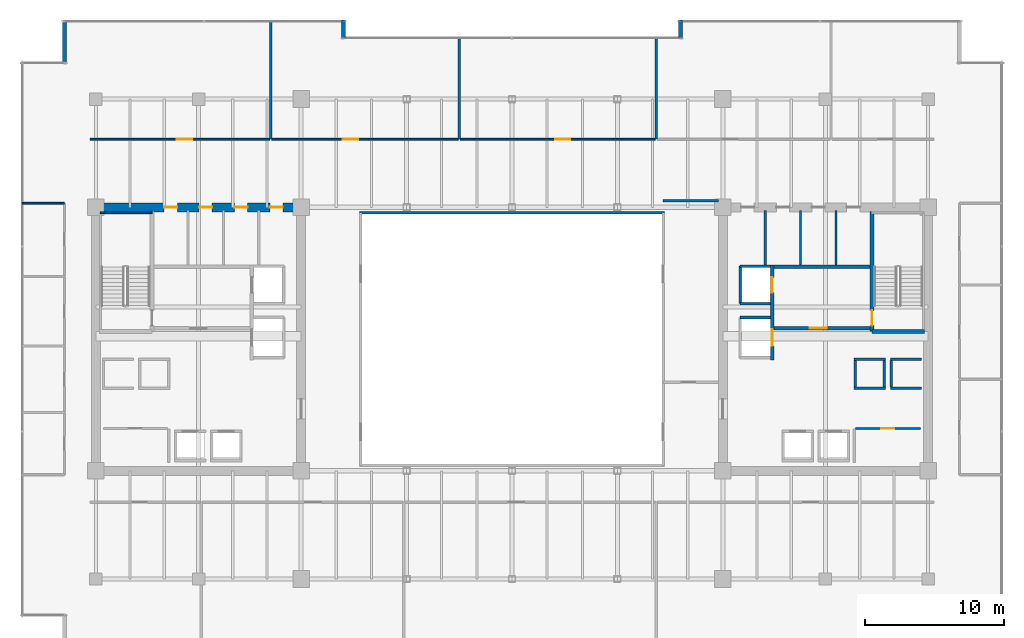
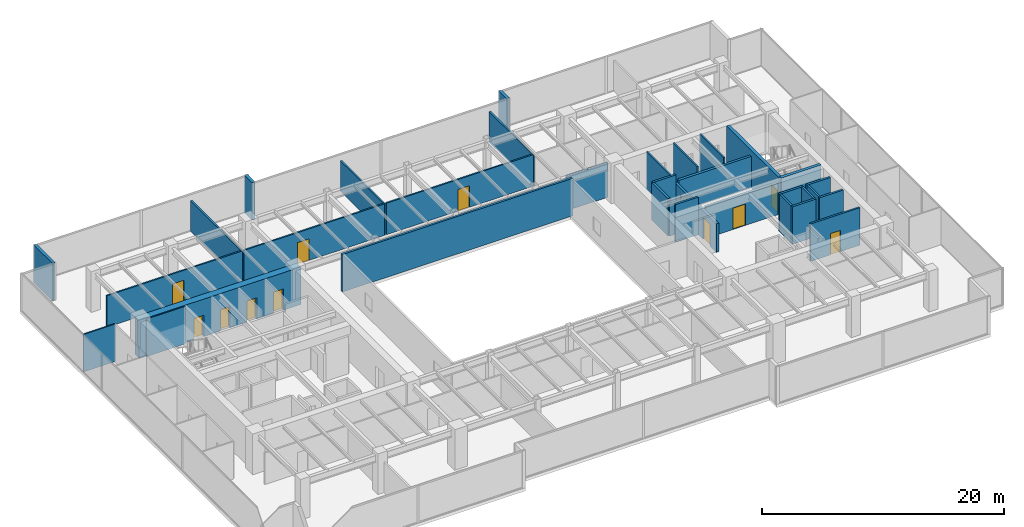
# One storey, part 27 of 31: 34 walls, 12 doors, 12 openings.
"""IFC4 building model written with IfcOpenShell, lengths in metres."""

from ifc_helpers import new_model, si_unit, direction, frame, frame_2d, origin, place, context, subcontext, project, spatial, rectangle, extrude, source, transform, mapped, material, layer, layer_set, type_object, type_shapes, element, fill, save


model = new_model("IFC4")

# Units and contexts
model_context = context("Model", 3, precision=1e-05, world=origin(), true_north=direction((0.0, 1.0)))
body_context = subcontext(model_context, "Body", "Model", "MODEL_VIEW")
ifc_project = project(units=[si_unit("LENGTHUNIT", "METRE"), si_unit("AREAUNIT", "SQUARE_METRE"), si_unit("VOLUMEUNIT", "CUBIC_METRE"), si_unit("PLANEANGLEUNIT", "RADIAN"), si_unit("MASSUNIT", "GRAM", prefix="KILO")], contexts=[model_context])

# Site, building, storey
site_placement = place(None, origin())
site = spatial("IfcSite", under=ifc_project, at=site_placement, CompositionType="ELEMENT")
building_placement = place(site_placement, origin())
building = spatial("IfcBuilding", under=site, at=building_placement, Name="Haelvirn Gate Laboratories", CompositionType="ELEMENT")
storey_placement = place(building_placement, frame((0.0, 0.0, 154.300048828125)))
storey = spatial("IfcBuildingStorey", under=building, at=storey_placement, Name="L37", CompositionType="ELEMENT", Elevation=154.300048828125)

# Walls
ifc_material_1 = material(Name="Thermally-broken bronze aluminium rainscreen & mineral wool", Category="aluminium")
ifc_layer_1 = layer(ifc_material_1, 0.280029296875, Name="EW-TERR-280")
ifc_layer_set_1 = layer_set([ifc_layer_1], Name="Thermally-broken bronze aluminium rainscreen & mineral wool")
wall_type_1 = type_object("IfcWallType", Name="EW-TERR-280", PredefinedType="STANDARD", material=ifc_layer_set_1)
for number, where, z_axis, x_axis, name in (
    (1, (49.5400390625, 47.300048828125, 0.0), (0.0, 0.0, 1.0), (0.0, -1.0, 0.0), "L37 Atrium Recess Bronze Return Wall 11"),
    (2, (25.260009765625, 46.011962890625, 0.0), (0.0, 0.0, 1.0), (0.0, 1.0, 0.0), "L37 Atrium Recess Bronze Return Wall 13"),
):
    element("IfcWall", number, at=place(storey_placement, frame(where, z_axis=z_axis, x_axis=x_axis)), inside=storey, type_object=wall_type_1, Name=name, PredefinedType="STANDARD", context=body_context, shape_type="SweptSolid", body=[
        extrude(rectangle(XDim=1.2880859375, YDim=0.280029296875, at=frame_2d((0.64404296875, 0.0))), origin(), (0.0, 0.0, 1.0), 3.7900390625),
    ])
wall_1_placement = place(storey_placement, frame((5.139892578125, 47.300048828125, 0.0), z_axis=(0.0, 0.0, 1.0), x_axis=(0.0, -1.0, 0.0)))
element("IfcWall", 3, at=wall_1_placement, inside=storey, type_object=wall_type_1, Name="L37 Atrium Recess Bronze Return Wall 15", PredefinedType="STANDARD", context=body_context, shape_type="SweptSolid", body=[
    extrude(rectangle(XDim=3.088134765625, YDim=0.280029296875, at=frame_2d((1.5439453125, 0.0))), origin(), (0.0, 0.0, 1.0), 3.7900390625),
])
ifc_material_2 = material(Name="Double-layer acoustic gypsum laboratory partition", Category="gypsum")
ifc_layer_2 = layer(ifc_material_2, 0.159912109375, Name="IW-ACOUST-160")
ifc_layer_set_2 = layer_set([ifc_layer_2], Name="Double-layer acoustic gypsum laboratory partition")
wall_type_2 = type_object("IfcWallType", Name="IW-ACOUST-160", PredefinedType="PARTITIONING", material=ifc_layer_set_2)
wall_2_placement = place(storey_placement, frame((20.0, 38.705078125, 0.0), z_axis=(0.0, 0.0, 1.0), x_axis=(0.0, 1.0, 0.0)))
element("IfcWall", 4, at=wall_2_placement, inside=storey, type_object=wall_type_2, Name="L37 Interior Wall IW-L37-NDIV-01", PredefinedType="PARTITIONING", context=body_context, shape_type="SweptSolid", body=[
    extrude(rectangle(XDim=8.48486328125, YDim=0.159912109375, at=frame_2d((4.242431640625, 0.0))), origin(), (0.0, 0.0, 1.0), 3.074951171875),
])
for number, where, z_axis, x_axis, name in (
    (5, (33.60009765625, 38.705078125, 0.0), (0.0, 0.0, 1.0), (0.0, 1.0, 0.0), "L37 Interior Wall IW-L37-NDIV-02"),
    (6, (47.800048828125, 38.705078125, 0.0), (0.0, 0.0, 1.0), (0.0, 1.0, 0.0), "L37 Interior Wall IW-L37-NDIV-03"),
):
    element("IfcWall", number, at=place(storey_placement, frame(where, z_axis=z_axis, x_axis=x_axis)), inside=storey, type_object=wall_type_2, Name=name, PredefinedType="PARTITIONING", context=body_context, shape_type="SweptSolid", body=[
        extrude(rectangle(XDim=7.284912109375, YDim=0.159912109375, at=frame_2d((3.642578125, 0.0))), origin(), (0.0, 0.0, 1.0), 3.074951171875),
    ])
ifc_material_3 = material(Name="Fire-rated acoustic gypsum board partition", Category="gypsum")
ifc_layer_3 = layer(ifc_material_3, 0.175048828125, Name="IW-ACOUST-180")
ifc_layer_set_3 = layer_set([ifc_layer_3], Name="Fire-rated acoustic gypsum board partition")
wall_type_3 = type_object("IfcWallType", Name="IW-ACOUST-180", PredefinedType="PARTITIONING", material=ifc_layer_set_3)
wall_3_placement = place(storey_placement, frame((48.300048828125, 34.260009765625, 0.0), z_axis=(0.0, 0.0, 1.0), x_axis=(1.0, 0.0, 0.0)))
element("IfcWall", 7, at=wall_3_placement, inside=storey, type_object=wall_type_3, Name="L37 Interior Wall IW-L37-ASEM-N", PredefinedType="PARTITIONING", context=body_context, shape_type="SweptSolid", body=[
    extrude(rectangle(XDim=3.974853515625, YDim=0.175048828125, at=frame_2d((1.9873046875, 0.0))), origin(), (0.0, 0.0, 1.0), 3.474853515625),
])
ifc_material_4 = material(Name="Tempered fire-rated borosilicate glass & anodised aluminium", Category="aluminium")
ifc_layer_4 = layer(ifc_material_4, 0.195068359375, Name="IW-GLAZ-200")
ifc_layer_set_4 = layer_set([ifc_layer_4], Name="Tempered fire-rated borosilicate glass & anodised aluminium")
wall_type_4 = type_object("IfcWallType", Name="IW-GLAZ-200", PredefinedType="SOLIDWALL", material=ifc_layer_set_4)
wall_4_placement = place(storey_placement, frame((26.39990234375, 33.39990234375, 0.0), z_axis=(0.0, 0.0, 1.0), x_axis=(1.0, 0.0, 0.0)))
element("IfcWall", 8, at=wall_4_placement, inside=storey, type_object=wall_type_4, Name="L37 Interior Wall IW-L37-ATRIUM-N", PredefinedType="SOLIDWALL", context=body_context, shape_type="SweptSolid", body=[
    extrude(rectangle(XDim=22.0, YDim=0.195068359375, at=frame_2d((11.0, 0.0))), origin(), (0.0, 0.0, 1.0), 3.7900390625),
])
ifc_material_5 = material(Name="Lightweight acoustic gypsum board partition", Category="gypsum")
ifc_layer_5 = layer(ifc_material_5, 0.1201171875, Name="IW-PART-120")
ifc_layer_set_5 = layer_set([ifc_layer_5], Name="Lightweight acoustic gypsum board partition")
wall_type_5 = type_object("IfcWallType", Name="IW-PART-120", PredefinedType="PARTITIONING", material=ifc_layer_set_5)
wall_5_placement = place(storey_placement, frame((2.110107421875, 34.0849609375, 0.0), z_axis=(0.0, 0.0, 1.0), x_axis=(1.0, 0.0, 0.0)))
element("IfcWall", 9, at=wall_5_placement, inside=storey, type_object=wall_type_5, Name="L37 Interior Wall IW-L37-WCAP-N", PredefinedType="PARTITIONING", context=body_context, shape_type="SweptSolid", body=[
    extrude(rectangle(XDim=3.019775390625, YDim=0.1201171875, at=frame_2d((1.509765625, 0.0))), origin(), (0.0, 0.0, 1.0), 3.7900390625),
])

# Wall, opening, door
ifc_material_6 = material(Name="Acoustic mineral-wool gypsum board partition", Category="gypsum")
ifc_layer_6 = layer(ifc_material_6, 0.139892578125, Name="IW-PART-140")
ifc_layer_set_6 = layer_set([ifc_layer_6], Name="Acoustic mineral-wool gypsum board partition")
wall_type_6 = type_object("IfcWallType", Name="IW-PART-140", PredefinedType="PARTITIONING", material=ifc_layer_set_6)
wall_6_placement = place(storey_placement, frame((6.97998046875, 38.705078125, 0.0), z_axis=(0.0, 0.0, 1.0), x_axis=(1.0, 0.0, 0.0)))
wall_6 = element("IfcWall", 10, at=wall_6_placement, inside=storey, type_object=wall_type_6, Name="L37 Interior Wall IW-L37-NCORR-01", PredefinedType="PARTITIONING", context=body_context, shape_type="SweptSolid", body=[
    extrude(rectangle(XDim=12.93994140625, YDim=0.139892578125, at=frame_2d((6.469970703125, 0.0))), origin(), (0.0, 0.0, 1.0), 3.18701171875),
])
opening_1_placement = place(wall_6_placement, frame((6.254150390625, 0.0, 0.0)))
opening_1 = element("IfcOpeningElement", 11, at=opening_1_placement, cuts=wall_6, Name="Opening D1", PredefinedType="OPENING", context=body_context, shape_type="SweptSolid", body=[
    extrude(rectangle(XDim=1.10009765625, YDim=2.179931640625, at=frame_2d((0.550048828125, 1.08984375))), frame((0.0, 0.080078125, 0.0), z_axis=(0.0, -1.0, 0.0), x_axis=(1.0, 0.0, 0.0)), (0.0, 0.0, 1.0), 0.159912109375),
])
ifc_material_7 = material(Name="Vision-panel acoustic solid-core timber lab door", Category="wood")
door_type_1 = type_object("IfcDoorType", Name="DR-LAB-1100", OperationType="NOTDEFINED", PredefinedType="DOOR", material=ifc_material_7)
shared_shape_1 = source(origin(), body_context, "Body", "SweptSolid", [
    extrude(rectangle(XDim=1.10009765625, YDim=2.179931640625, at=frame_2d((0.550048828125, 1.08984375))), frame((0.0, 0.02490234375, 0.0), z_axis=(0.0, -1.0, 0.0), x_axis=(1.0, 0.0, 0.0)), (0.0, 0.0, 1.0), 0.050048828125),
])
type_shapes(door_type_1, [shared_shape_1])
door_1_placement = place(opening_1_placement, origin())
door_1 = element("IfcDoor", 12, at=door_1_placement, inside=storey, type_object=door_type_1, Name="L37 Cryo-EM Imaging Suite Door N1", OperationType="SINGLE_SWING_LEFT", OverallHeight=2.179931640625, OverallWidth=1.10009765625, PredefinedType="DOOR", context=body_context, shape_type="MappedRepresentation", body=[
    mapped(shared_shape_1, transform((0.0, 0.0, 0.0), scale=1.0)),
])
fill(opening_1, door_1)

wall_7_placement = place(storey_placement, frame((20.080078125, 38.705078125, 0.0), z_axis=(0.0, 0.0, 1.0), x_axis=(1.0, 0.0, 0.0)))
wall_7 = element("IfcWall", 13, at=wall_7_placement, inside=storey, type_object=wall_type_6, Name="L37 Interior Wall IW-L37-NCORR-02", PredefinedType="PARTITIONING", context=body_context, shape_type="SweptSolid", body=[
    extrude(rectangle(XDim=13.43994140625, YDim=0.139892578125, at=frame_2d((6.719970703125, 0.0))), origin(), (0.0, 0.0, 1.0), 3.18701171875),
])
opening_2_placement = place(wall_7_placement, frame((5.122314453125, 0.0, 0.0)))
opening_2 = element("IfcOpeningElement", 14, at=opening_2_placement, cuts=wall_7, Name="Opening D1", PredefinedType="OPENING", context=body_context, shape_type="SweptSolid", body=[
    extrude(rectangle(XDim=1.10009765625, YDim=2.179931640625, at=frame_2d((0.550048828125, 1.08984375))), frame((0.0, 0.080078125, 0.0), z_axis=(0.0, -1.0, 0.0), x_axis=(1.0, 0.0, 0.0)), (0.0, 0.0, 1.0), 0.159912109375),
])
door_2_placement = place(opening_2_placement, origin())
door_2 = element("IfcDoor", 15, at=door_2_placement, inside=storey, type_object=door_type_1, Name="L37 Analytical Instrument Suite Door N2", OperationType="SINGLE_SWING_RIGHT", OverallHeight=2.179931640625, OverallWidth=1.10009765625, PredefinedType="DOOR", context=body_context, shape_type="MappedRepresentation", body=[
    mapped(shared_shape_1, transform((0.0, 0.0, 0.0), scale=1.0)),
])
fill(opening_2, door_2)

wall_8_placement = place(storey_placement, frame((33.679931640625, 38.705078125, 0.0), z_axis=(0.0, 0.0, 1.0), x_axis=(1.0, 0.0, 0.0)))
wall_8 = element("IfcWall", 16, at=wall_8_placement, inside=storey, type_object=wall_type_6, Name="L37 Interior Wall IW-L37-NCORR-03", PredefinedType="PARTITIONING", context=body_context, shape_type="SweptSolid", body=[
    extrude(rectangle(XDim=14.0400390625, YDim=0.139892578125, at=frame_2d((7.02001953125, 0.0))), origin(), (0.0, 0.0, 1.0), 3.18701171875),
])
opening_3_placement = place(wall_8_placement, frame((6.837158203125, 0.0, 0.0)))
opening_3 = element("IfcOpeningElement", 17, at=opening_3_placement, cuts=wall_8, Name="Opening D1", PredefinedType="OPENING", context=body_context, shape_type="SweptSolid", body=[
    extrude(rectangle(XDim=1.10009765625, YDim=2.179931640625, at=frame_2d((0.550048828125, 1.08984375))), frame((0.0, 0.080078125, 0.0), z_axis=(0.0, -1.0, 0.0), x_axis=(1.0, 0.0, 0.0)), (0.0, 0.0, 1.0), 0.159912109375),
])
door_3_placement = place(opening_3_placement, origin())
door_3 = element("IfcDoor", 18, at=door_3_placement, inside=storey, type_object=door_type_1, Name="L37 Laser-Safety Consult Room Door N3", OperationType="SINGLE_SWING_LEFT", OverallHeight=2.179931640625, OverallWidth=1.10009765625, PredefinedType="DOOR", context=body_context, shape_type="MappedRepresentation", body=[
    mapped(shared_shape_1, transform((0.0, 0.0, 0.0), scale=1.0)),
])
fill(opening_3, door_3)

# Walls
ifc_material_8 = material(Name="Cement-board restroom plumbing chase wall", Category="gypsum")
ifc_layer_7 = layer(ifc_material_8, 0.155029296875, Name="IW-PLUMB-160")
ifc_layer_set_7 = layer_set([ifc_layer_7], Name="Cement-board restroom plumbing chase wall")
wall_type_7 = type_object("IfcWallType", Name="IW-PLUMB-160", PredefinedType="PLUMBINGWALL", material=ifc_layer_set_7)
for number, where, z_axis, x_axis, name in (
    (19, (60.760009765625, 29.64990234375, 0.0), (0.0, 0.0, 1.0), (0.0, 1.0, 0.0), "L37 Interior Wall IW-L37-E-CDIV-1"),
    (20, (58.2099609375, 29.64990234375, 0.0), (0.0, 0.0, 1.0), (0.0, 1.0, 0.0), "L37 Interior Wall IW-L37-E-CDIV-2"),
    (21, (55.659912109375, 29.64990234375, 0.0), (0.0, 0.0, 1.0), (0.0, 1.0, 0.0), "L37 Interior Wall IW-L37-E-CDIV-3"),
):
    element("IfcWall", number, at=place(storey_placement, frame(where, z_axis=z_axis, x_axis=x_axis)), inside=storey, type_object=wall_type_7, Name=name, PredefinedType="PLUMBINGWALL", context=body_context, shape_type="SweptSolid", body=[
        extrude(rectangle(XDim=3.93017578125, YDim=0.155029296875, at=frame_2d((1.965087890625, 0.0))), origin(), (0.0, 0.0, 1.0), 3.7900390625),
    ])
ifc_material_9 = material(Name="Concrete C40/50", Category="concrete")
ifc_layer_8 = layer(ifc_material_9, 0.179931640625, Name="IW-SHAFT-180")
ifc_layer_set_8 = layer_set([ifc_layer_8], Name="Concrete C40/50")
wall_type_8 = type_object("IfcWallType", Name="IW-SHAFT-180", PredefinedType="SOLIDWALL", material=ifc_layer_set_8)
for number, where, z_axis, x_axis, name in (
    (22, (64.75, 20.85009765625, 0.0), (0.0, 0.0, 1.0), (0.0, 1.0, 0.0), "L37 Interior Wall IW-L37-PL11-SD"),
    (23, (62.14990234375, 20.85009765625, 0.0), (0.0, 0.0, 1.0), (0.0, 1.0, 0.0), "L37 Interior Wall IW-L37-PL12-SD"),
    (24, (64.25, 20.85009765625, 0.0), (0.0, 0.0, 1.0), (0.0, 1.0, 0.0), "L37 Interior Wall IW-L37-PL12-SDE"),
):
    element("IfcWall", number, at=place(storey_placement, frame(where, z_axis=z_axis, x_axis=x_axis)), inside=storey, type_object=wall_type_8, Name=name, PredefinedType="SOLIDWALL", context=body_context, shape_type="SweptSolid", body=[
        extrude(rectangle(XDim=1.89990234375, YDim=0.179931640625, at=frame_2d((0.949951171875, 0.0))), origin(), (0.0, 0.0, 1.0), 3.7900390625),
    ])

# Wall, opening, door
wall_9_placement = place(storey_placement, frame((62.14990234375, 17.85009765625, 0.0), z_axis=(0.0, 0.0, 1.0), x_axis=(1.0, 0.0, 0.0)))
wall_9 = element("IfcWall", 25, at=wall_9_placement, inside=storey, type_object=wall_type_8, Name="L37 Interior Wall IW-L37-E-FREED-LN-1", PredefinedType="SOLIDWALL", context=body_context, shape_type="SweptSolid", body=[
    extrude(rectangle(XDim=4.7001953125, YDim=0.179931640625, at=frame_2d((2.35009765625, 0.0))), origin(), (0.0, 0.0, 1.0), 3.7900390625),
])
opening_4_placement = place(wall_9_placement, frame((1.875, 0.0, 0.0)))
opening_4 = element("IfcOpeningElement", 26, at=opening_4_placement, cuts=wall_9, Name="Opening FD4", PredefinedType="OPENING", context=body_context, shape_type="SweptSolid", body=[
    extrude(rectangle(XDim=0.949951171875, YDim=2.14990234375, at=frame_2d((0.47509765625, 1.074951171875))), frame((0.0, 0.10009765625, 0.0), z_axis=(0.0, -1.0, 0.0), x_axis=(1.0, 0.0, 0.0)), (0.0, 0.0, 1.0), 0.199951171875),
])
ifc_material_10 = material(Name="Fire-rated steel SM355 core service door", Category="steel")
door_type_2 = type_object("IfcDoorType", Name="DR-FD-950", OperationType="NOTDEFINED", PredefinedType="DOOR", material=ifc_material_10)
shared_shape_2 = source(origin(), body_context, "Body", "SweptSolid", [
    extrude(rectangle(XDim=0.949951171875, YDim=2.14990234375, at=frame_2d((0.47509765625, 1.074951171875))), frame((0.0, 0.02490234375, 0.0), z_axis=(0.0, -1.0, 0.0), x_axis=(1.0, 0.0, 0.0)), (0.0, 0.0, 1.0), 0.050048828125),
])
type_shapes(door_type_2, [shared_shape_2])
door_4_placement = place(opening_4_placement, origin())
door_4 = element("IfcDoor", 27, at=door_4_placement, inside=storey, type_object=door_type_2, Name="L37 Autoclave & Glasswash Room Door", OperationType="SINGLE_SWING_LEFT", OverallHeight=2.14990234375, OverallWidth=0.949951171875, PredefinedType="DOOR", context=body_context, shape_type="MappedRepresentation", body=[
    mapped(shared_shape_2, transform((0.0, 0.0, 0.0), scale=1.0)),
])
fill(opening_4, door_4)

# Walls
ifc_layer_9 = layer(ifc_material_9, 0.199951171875, Name="IW-SHAFT-200")
ifc_layer_set_9 = layer_set([ifc_layer_9], Name="Concrete C40/50")
wall_type_9 = type_object("IfcWallType", Name="IW-SHAFT-200", PredefinedType="SOLIDWALL", material=ifc_layer_set_9)
for number, where, z_axis, x_axis, name in (
    (28, (64.669921875, 20.75, 0.0), (0.0, 0.0, 1.0), (1.0, 0.0, 0.0), "L37 Interior Wall IW-L37-PL11-FR"),
    (29, (64.669921875, 22.85009765625, 0.0), (0.0, 0.0, 1.0), (1.0, 0.0, 0.0), "L37 Interior Wall IW-L37-PL11-BK"),
    (30, (62.070068359375, 20.75, 0.0), (0.0, 0.0, 1.0), (1.0, 0.0, 0.0), "L37 Interior Wall IW-L37-PL12-FR"),
    (31, (62.070068359375, 22.85009765625, 0.0), (0.0, 0.0, 1.0), (1.0, 0.0, 0.0), "L37 Interior Wall IW-L37-PL12-BK"),
):
    element("IfcWall", number, at=place(storey_placement, frame(where, z_axis=z_axis, x_axis=x_axis)), inside=storey, type_object=wall_type_9, Name=name, PredefinedType="SOLIDWALL", context=body_context, shape_type="SweptSolid", body=[
        extrude(rectangle(XDim=2.260009765625, YDim=0.199951171875, at=frame_2d((1.1298828125, 0.0))), origin(), (0.0, 0.0, 1.0), 3.7900390625),
    ])
wall_10_placement = place(storey_placement, frame((53.85009765625, 26.85009765625, 0.0), z_axis=(0.0, 0.0, 1.0), x_axis=(0.0, 1.0, 0.0)))
element("IfcWall", 32, at=wall_10_placement, inside=storey, type_object=wall_type_9, Name="L37 Interior Wall IW-L37-FL2-BK", PredefinedType="SOLIDWALL", context=body_context, shape_type="SweptSolid", body=[
    extrude(rectangle(XDim=2.699951171875, YDim=0.199951171875, at=frame_2d((1.35009765625, 0.0))), origin(), (0.0, 0.0, 1.0), 3.7900390625),
])
wall_11_placement = place(storey_placement, frame((53.85009765625, 29.550048828125, 0.0), z_axis=(0.0, 0.0, 1.0), x_axis=(1.0, 0.0, 0.0)))
element("IfcWall", 33, at=wall_11_placement, inside=storey, type_object=wall_type_9, Name="L37 Interior Wall IW-L37-FL2-N", PredefinedType="SOLIDWALL", context=body_context, shape_type="SweptSolid", body=[
    extrude(rectangle(XDim=2.18994140625, YDim=0.199951171875, at=frame_2d((1.094970703125, 0.0))), origin(), (0.0, 0.0, 1.0), 3.7900390625),
])
wall_12_placement = place(storey_placement, frame((53.85009765625, 26.85009765625, 0.0), z_axis=(0.0, 0.0, 1.0), x_axis=(1.0, 0.0, 0.0)))
element("IfcWall", 34, at=wall_12_placement, inside=storey, type_object=wall_type_9, Name="L37 Interior Wall IW-L37-FL2-S", PredefinedType="SOLIDWALL", context=body_context, shape_type="SweptSolid", body=[
    extrude(rectangle(XDim=2.18994140625, YDim=0.199951171875, at=frame_2d((1.094970703125, 0.0))), origin(), (0.0, 0.0, 1.0), 3.18701171875),
])
wall_13_placement = place(storey_placement, frame((53.85009765625, 25.85009765625, 0.0), z_axis=(0.0, 0.0, 1.0), x_axis=(1.0, 0.0, 0.0)))
element("IfcWall", 35, at=wall_13_placement, inside=storey, type_object=wall_type_9, Name="L37 Interior Wall IW-L37-SL2-N", PredefinedType="SOLIDWALL", context=body_context, shape_type="SweptSolid", body=[
    extrude(rectangle(XDim=2.18994140625, YDim=0.199951171875, at=frame_2d((1.094970703125, 0.0))), origin(), (0.0, 0.0, 1.0), 3.7900390625),
])

# Wall, opening, door
ifc_layer_10 = layer(ifc_material_9, 0.239990234375, Name="IW-SHAFT-240")
ifc_layer_set_10 = layer_set([ifc_layer_10], Name="Concrete C40/50")
wall_type_10 = type_object("IfcWallType", Name="IW-SHAFT-240", PredefinedType="SOLIDWALL", material=ifc_layer_set_10)
wall_14_placement = place(storey_placement, frame((56.280029296875, 25.080078125, 0.0), z_axis=(0.0, 0.0, 1.0), x_axis=(1.0, 0.0, 0.0)))
wall_14 = element("IfcWall", 36, at=wall_14_placement, inside=storey, type_object=wall_type_10, Name="L37 Interior Wall IW-L37-E-FF-S", PredefinedType="SOLIDWALL", context=body_context, shape_type="SweptSolid", body=[
    extrude(rectangle(XDim=6.919921875, YDim=0.239990234375, at=frame_2d((3.4599609375, 0.0))), origin(), (0.0, 0.0, 1.0), 3.18701171875),
])
opening_5_placement = place(wall_14_placement, frame((2.60009765625, 0.0, 0.0)))
opening_5 = element("IfcOpeningElement", 37, at=opening_5_placement, cuts=wall_14, Name="Opening FD2", PredefinedType="OPENING", context=body_context, shape_type="SweptSolid", body=[
    extrude(rectangle(XDim=1.199951171875, YDim=2.159912109375, at=frame_2d((0.60009765625, 1.080078125))), frame((0.0, 0.1298828125, 0.0), z_axis=(0.0, -1.0, 0.0), x_axis=(1.0, 0.0, 0.0)), (0.0, 0.0, 1.0), 0.260009765625),
])
ifc_material_11 = material(Name="Fire-rated steel SM355 compartment door", Category="steel")
door_type_3 = type_object("IfcDoorType", Name="DR-FD-1200", OperationType="NOTDEFINED", PredefinedType="DOOR", material=ifc_material_11)
shared_shape_3 = source(origin(), body_context, "Body", "SweptSolid", [
    extrude(rectangle(XDim=1.199951171875, YDim=2.159912109375, at=frame_2d((0.60009765625, 1.080078125))), frame((0.0, 0.02490234375, 0.0), z_axis=(0.0, -1.0, 0.0), x_axis=(1.0, 0.0, 0.0)), (0.0, 0.0, 1.0), 0.050048828125),
])
type_shapes(door_type_3, [shared_shape_3])
door_5_placement = place(opening_5_placement, origin())
door_5 = element("IfcDoor", 38, at=door_5_placement, inside=storey, type_object=door_type_3, Name="L37 East Firefighting Lobby Door", OperationType="SINGLE_SWING_LEFT", OverallHeight=2.159912109375, OverallWidth=1.199951171875, PredefinedType="DOOR", context=body_context, shape_type="MappedRepresentation", body=[
    mapped(shared_shape_3, transform((0.0, 0.0, 0.0), scale=1.0)),
])
fill(opening_5, door_5)

# Wall
wall_15_placement = place(storey_placement, frame((56.280029296875, 29.52001953125, 0.0), z_axis=(0.0, 0.0, 1.0), x_axis=(1.0, 0.0, 0.0)))
element("IfcWall", 39, at=wall_15_placement, inside=storey, type_object=wall_type_10, Name="L37 Interior Wall IW-L37-E-FF-N", PredefinedType="SOLIDWALL", context=body_context, shape_type="SweptSolid", body=[
    extrude(rectangle(XDim=6.919921875, YDim=0.239990234375, at=frame_2d((3.4599609375, 0.0))), origin(), (0.0, 0.0, 1.0), 3.18701171875),
])

# Wall, openings, doors
wall_16_placement = place(storey_placement, frame((56.159912109375, 22.800048828125, 0.0), z_axis=(0.0, 0.0, 1.0), x_axis=(0.0, 1.0, 0.0)))
wall_16 = element("IfcWall", 40, at=wall_16_placement, inside=storey, type_object=wall_type_10, Name="L37 Interior Wall IW-L37-E-FF-E", PredefinedType="SOLIDWALL", context=body_context, shape_type="SweptSolid", body=[
    extrude(rectangle(XDim=6.849853515625, YDim=0.239990234375, at=frame_2d((3.4248046875, 0.0))), origin(), (0.0, 0.0, 1.0), 2.875),
])
opening_6_placement = place(wall_16_placement, frame((4.85009765625, 0.0, 0.0)))
opening_6 = element("IfcOpeningElement", 41, at=opening_6_placement, cuts=wall_16, Name="Opening LD2", PredefinedType="OPENING", context=body_context, shape_type="SweptSolid", body=[
    extrude(rectangle(XDim=1.10009765625, YDim=2.219970703125, at=frame_2d((0.550048828125, 1.10986328125))), frame((0.0, 0.1298828125, 0.0), z_axis=(0.0, -1.0, 0.0), x_axis=(1.0, 0.0, 0.0)), (0.0, 0.0, 1.0), 0.260009765625),
])
opening_7_placement = place(wall_16_placement, frame((1.0, 0.0, 0.0)))
opening_7 = element("IfcOpeningElement", 42, at=opening_7_placement, cuts=wall_16, Name="Opening LD1", PredefinedType="OPENING", context=body_context, shape_type="SweptSolid", body=[
    extrude(rectangle(XDim=1.199951171875, YDim=2.219970703125, at=frame_2d((0.60009765625, 1.10986328125))), frame((0.0, 0.1298828125, 0.0), z_axis=(0.0, -1.0, 0.0), x_axis=(1.0, 0.0, 0.0)), (0.0, 0.0, 1.0), 0.260009765625),
])
ifc_material_12 = material(Name="Bronze stainless 316L sliding lift landing door")
door_type_4 = type_object("IfcDoorType", Name="DR-LD-1100", OperationType="NOTDEFINED", PredefinedType="USERDEFINED", material=ifc_material_12)
shared_shape_4 = source(origin(), body_context, "Body", "SweptSolid", [
    extrude(rectangle(XDim=1.10009765625, YDim=2.219970703125, at=frame_2d((0.550048828125, 1.10986328125))), frame((0.0, 0.02490234375, 0.0), z_axis=(0.0, -1.0, 0.0), x_axis=(1.0, 0.0, 0.0)), (0.0, 0.0, 1.0), 0.050048828125),
])
type_shapes(door_type_4, [shared_shape_4])
door_6_placement = place(opening_6_placement, origin())
door_6 = element("IfcDoor", 43, at=door_6_placement, inside=storey, type_object=door_type_4, Name="L37 Firefighting Lift FL2 Landing Door", ObjectType="LANDING_DOOR", OperationType="SLIDING_TO_RIGHT", OverallHeight=2.219970703125, OverallWidth=1.10009765625, PredefinedType="USERDEFINED", context=body_context, shape_type="MappedRepresentation", body=[
    mapped(shared_shape_4, transform((0.0, 0.0, 0.0), scale=1.0)),
])
fill(opening_6, door_6)
ifc_material_13 = material(Name="Stainless steel 316L sliding goods landing door", Category="steel")
door_type_5 = type_object("IfcDoorType", Name="DR-LD-1200", OperationType="NOTDEFINED", PredefinedType="USERDEFINED", material=ifc_material_13)
shared_shape_5 = source(origin(), body_context, "Body", "SweptSolid", [
    extrude(rectangle(XDim=1.199951171875, YDim=2.219970703125, at=frame_2d((0.60009765625, 1.10986328125))), frame((0.0, 0.02490234375, 0.0), z_axis=(0.0, -1.0, 0.0), x_axis=(1.0, 0.0, 0.0)), (0.0, 0.0, 1.0), 0.050048828125),
])
type_shapes(door_type_5, [shared_shape_5])
door_7_placement = place(opening_7_placement, origin())
door_7 = element("IfcDoor", 44, at=door_7_placement, inside=storey, type_object=door_type_5, Name="L37 Service Lift SL2 Landing Door", ObjectType="LANDING_DOOR", OperationType="SLIDING_TO_LEFT", OverallHeight=2.219970703125, OverallWidth=1.199951171875, PredefinedType="USERDEFINED", context=body_context, shape_type="MappedRepresentation", body=[
    mapped(shared_shape_5, transform((0.0, 0.0, 0.0), scale=1.0)),
])
fill(opening_7, door_7)

ifc_material_14 = material(Name="Concrete C60/75", Category="concrete")
ifc_layer_11 = layer(ifc_material_14, 0.64990234375, Name="SW-CORE-650")
ifc_layer_set_11 = layer_set([ifc_layer_11], Name="Concrete C60/75")
wall_type_11 = type_object("IfcWallType", Name="SW-CORE-650", PredefinedType="SHEAR", material=ifc_layer_set_11)
wall_17_placement = place(storey_placement, frame((7.074951171875, 33.800048828125, 0.0), z_axis=(0.0, 0.0, 1.0), x_axis=(1.0, 0.0, 0.0)))
wall_17 = element("IfcWall", 45, at=wall_17_placement, inside=storey, type_object=wall_type_11, Name="L37 W Core Shear Wall N", PredefinedType="SHEAR", context=body_context, shape_type="SweptSolid", body=[
    extrude(rectangle(XDim=15.449951171875, YDim=0.64990234375, at=frame_2d((7.72509765625, 0.0))), origin(), (0.0, 0.0, 1.0), 3.7900390625),
])
opening_8_placement = place(wall_17_placement, frame((5.25, 0.0, 0.0)))
opening_8 = element("IfcOpeningElement", 46, at=opening_8_placement, cuts=wall_17, Name="Opening FD4", PredefinedType="OPENING", context=body_context, shape_type="SweptSolid", body=[
    extrude(rectangle(XDim=0.949951171875, YDim=2.14990234375, at=frame_2d((0.47509765625, 1.074951171875))), frame((0.0, 0.3349609375, 0.0), z_axis=(0.0, -1.0, 0.0), x_axis=(1.0, 0.0, 0.0)), (0.0, 0.0, 1.0), 0.669921875),
])
opening_9_placement = place(wall_17_placement, frame((7.764892578125, 0.0, 0.0)))
opening_9 = element("IfcOpeningElement", 47, at=opening_9_placement, cuts=wall_17, Name="Opening FD4", PredefinedType="OPENING", context=body_context, shape_type="SweptSolid", body=[
    extrude(rectangle(XDim=0.949951171875, YDim=2.14990234375, at=frame_2d((0.47509765625, 1.074951171875))), frame((0.0, 0.3349609375, 0.0), z_axis=(0.0, -1.0, 0.0), x_axis=(1.0, 0.0, 0.0)), (0.0, 0.0, 1.0), 0.669921875),
])
opening_10_placement = place(wall_17_placement, frame((10.31494140625, 0.0, 0.0)))
opening_10 = element("IfcOpeningElement", 48, at=opening_10_placement, cuts=wall_17, Name="Opening FD4", PredefinedType="OPENING", context=body_context, shape_type="SweptSolid", body=[
    extrude(rectangle(XDim=0.949951171875, YDim=2.14990234375, at=frame_2d((0.47509765625, 1.074951171875))), frame((0.0, 0.3349609375, 0.0), z_axis=(0.0, -1.0, 0.0), x_axis=(1.0, 0.0, 0.0)), (0.0, 0.0, 1.0), 0.669921875),
])
opening_11_placement = place(wall_17_placement, frame((12.864990234375, 0.0, 0.0)))
opening_11 = element("IfcOpeningElement", 49, at=opening_11_placement, cuts=wall_17, Name="Opening FD4", PredefinedType="OPENING", context=body_context, shape_type="SweptSolid", body=[
    extrude(rectangle(XDim=0.949951171875, YDim=2.14990234375, at=frame_2d((0.47509765625, 1.074951171875))), frame((0.0, 0.3349609375, 0.0), z_axis=(0.0, -1.0, 0.0), x_axis=(1.0, 0.0, 0.0)), (0.0, 0.0, 1.0), 0.669921875),
])
door_8_placement = place(opening_8_placement, origin())
door_8 = element("IfcDoor", 50, at=door_8_placement, inside=storey, type_object=door_type_2, Name="L37 Male Restroom Fire Door", OperationType="SINGLE_SWING_RIGHT", OverallHeight=2.14990234375, OverallWidth=0.949951171875, PredefinedType="DOOR", context=body_context, shape_type="MappedRepresentation", body=[
    mapped(shared_shape_2, transform((0.0, 0.0, 0.0), scale=1.0)),
])
fill(opening_8, door_8)
door_9_placement = place(opening_9_placement, origin())
door_9 = element("IfcDoor", 51, at=door_9_placement, inside=storey, type_object=door_type_2, Name="L37 Female Restroom Fire Door", OperationType="SINGLE_SWING_LEFT", OverallHeight=2.14990234375, OverallWidth=0.949951171875, PredefinedType="DOOR", context=body_context, shape_type="MappedRepresentation", body=[
    mapped(shared_shape_2, transform((0.0, 0.0, 0.0), scale=1.0)),
])
fill(opening_9, door_9)
door_10_placement = place(opening_10_placement, origin())
door_10 = element("IfcDoor", 52, at=door_10_placement, inside=storey, type_object=door_type_2, Name="L37 Accessible Restroom Fire Door", OperationType="SINGLE_SWING_RIGHT", OverallHeight=2.14990234375, OverallWidth=0.949951171875, PredefinedType="DOOR", context=body_context, shape_type="MappedRepresentation", body=[
    mapped(shared_shape_2, transform((0.0, 0.0, 0.0), scale=1.0)),
])
fill(opening_10, door_10)
door_11_placement = place(opening_11_placement, origin())
door_11 = element("IfcDoor", 53, at=door_11_placement, inside=storey, type_object=door_type_2, Name="L37 Decontamination Shower Washroom Fire Door", OperationType="SINGLE_SWING_LEFT", OverallHeight=2.14990234375, OverallWidth=0.949951171875, PredefinedType="DOOR", context=body_context, shape_type="MappedRepresentation", body=[
    mapped(shared_shape_2, transform((0.0, 0.0, 0.0), scale=1.0)),
])
fill(opening_11, door_11)

# Wall
ifc_material_15 = material(Name="Concrete C50/60", Category="concrete")
ifc_layer_12 = layer(ifc_material_15, 0.1201171875, Name="SW-LINER-120")
ifc_layer_set_12 = layer_set([ifc_layer_12], Name="Concrete C50/60")
wall_type_12 = type_object("IfcWallType", Name="SW-LINER-120", PredefinedType="SOLIDWALL", material=ifc_layer_set_12)
wall_18_placement = place(storey_placement, frame((7.72998046875, 33.39990234375, 0.0), z_axis=(0.0, 0.0, 1.0), x_axis=(1.0, 0.0, 0.0)))
element("IfcWall", 54, at=wall_18_placement, inside=storey, type_object=wall_type_12, Name="L37 W Core Stair Shaft Liner Wall N", PredefinedType="SOLIDWALL", context=body_context, shape_type="SweptSolid", body=[
    extrude(rectangle(XDim=3.719970703125, YDim=0.1201171875, at=frame_2d((1.85986328125, 0.0))), origin(), (0.0, 0.0, 1.0), 3.7900390625),
])

# Wall, opening, door
ifc_layer_13 = layer(ifc_material_15, 0.300048828125, Name="SW-STAIR-300")
ifc_layer_set_13 = layer_set([ifc_layer_13], Name="Concrete C50/60")
wall_type_13 = type_object("IfcWallType", Name="SW-STAIR-300", PredefinedType="SHEAR", material=ifc_layer_set_13)
wall_19_placement = place(storey_placement, frame((63.35009765625, 24.85009765625, 0.0), z_axis=(0.0, 0.0, 1.0), x_axis=(0.0, 1.0, 0.0)))
wall_19 = element("IfcWall", 55, at=wall_19_placement, inside=storey, type_object=wall_type_13, Name="L37 E Core Stair Shaft Structural Wall IN", PredefinedType="SHEAR", context=body_context, shape_type="SweptSolid", body=[
    extrude(rectangle(XDim=8.6298828125, YDim=0.300048828125, at=frame_2d((4.31494140625, 0.0))), origin(), (0.0, 0.0, 1.0), 3.7900390625),
])
opening_12_placement = place(wall_19_placement, frame((0.419921875, 0.0, 0.0)))
opening_12 = element("IfcOpeningElement", 56, at=opening_12_placement, cuts=wall_19, Name="Opening FD3", PredefinedType="OPENING", context=body_context, shape_type="SweptSolid", body=[
    extrude(rectangle(XDim=1.10009765625, YDim=2.14990234375, at=frame_2d((0.550048828125, 1.074951171875))), frame((0.0, 0.16015625, 0.0), z_axis=(0.0, -1.0, 0.0), x_axis=(1.0, 0.0, 0.0)), (0.0, 0.0, 1.0), 0.320068359375),
])
ifc_material_16 = material(Name="Fire-rated steel SM355 escape stair door", Category="steel")
door_type_6 = type_object("IfcDoorType", Name="DR-FD-1100", OperationType="NOTDEFINED", PredefinedType="DOOR", material=ifc_material_16)
shared_shape_6 = source(origin(), body_context, "Body", "SweptSolid", [
    extrude(rectangle(XDim=1.10009765625, YDim=2.14990234375, at=frame_2d((0.550048828125, 1.074951171875))), frame((0.0, 0.02490234375, 0.0), z_axis=(0.0, -1.0, 0.0), x_axis=(1.0, 0.0, 0.0)), (0.0, 0.0, 1.0), 0.050048828125),
])
type_shapes(door_type_6, [shared_shape_6])
door_12_placement = place(opening_12_placement, origin())
door_12 = element("IfcDoor", 57, at=door_12_placement, inside=storey, type_object=door_type_6, Name="L37 Escape Stair ST2 Fire Door", OperationType="SINGLE_SWING_RIGHT", OverallHeight=2.14990234375, OverallWidth=1.10009765625, PredefinedType="DOOR", context=body_context, shape_type="MappedRepresentation", body=[
    mapped(shared_shape_6, transform((0.0, 0.0, 0.0), scale=1.0)),
])
fill(opening_12, door_12)

# Wall
wall_20_placement = place(storey_placement, frame((63.35009765625, 24.85009765625, 0.0), z_axis=(0.0, 0.0, 1.0), x_axis=(1.0, 0.0, 0.0)))
element("IfcWall", 58, at=wall_20_placement, inside=storey, type_object=wall_type_13, Name="L37 E Core Stair Shaft Structural Wall S", PredefinedType="SHEAR", context=body_context, shape_type="SweptSolid", body=[
    extrude(rectangle(XDim=3.7998046875, YDim=0.300048828125, at=frame_2d((1.89990234375, 0.0))), origin(), (0.0, 0.0, 1.0), 3.7900390625),
])

save(model, "model.ifc")
